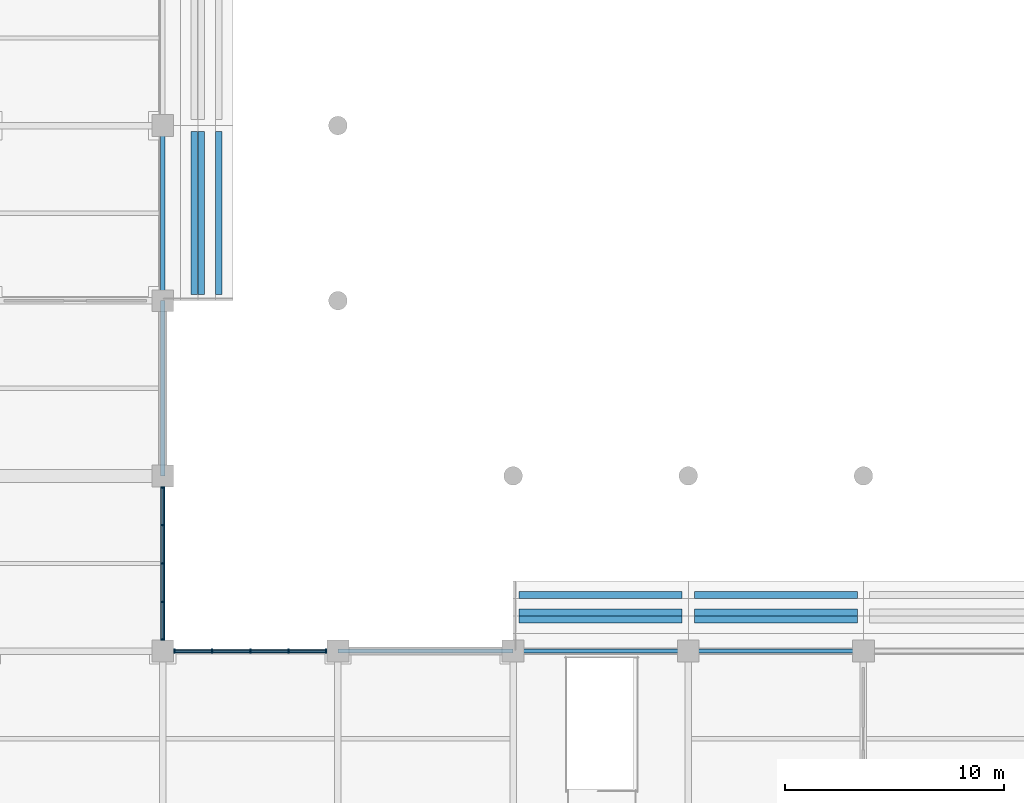
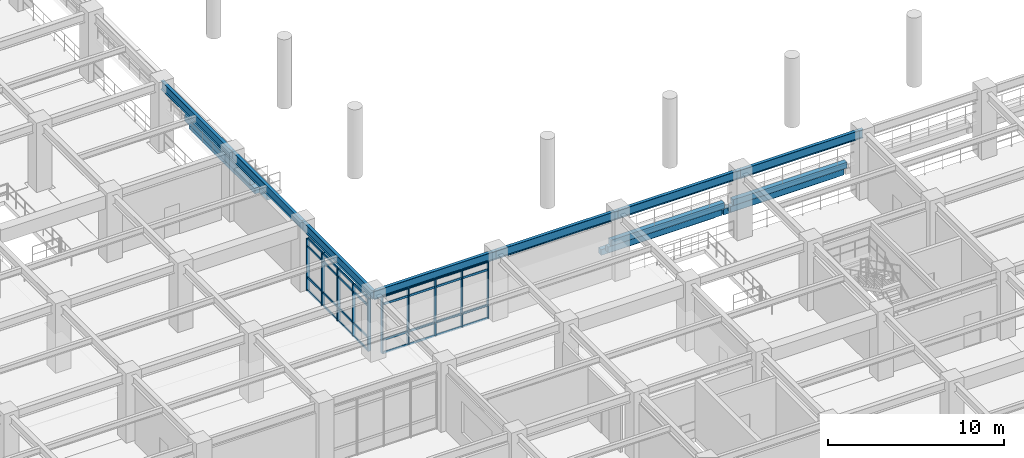
# One storey, part 17 of 117: 42 members, 16 beams, 2 elements without a shape of their own.
"""IFC4 building model written with IfcOpenShell, lengths in metres."""

from ifc_helpers import new_model, si_unit, direction, frame, origin, origin_2d, place, context, subcontext, project, spatial, rectangle, i_section, extrude, material, layer, layer_set, material_profile, profile_set, type_object, element, aggregate, save


model = new_model("IFC4")

# Units and contexts
model_context = context("Model", 3, precision=1e-05, world=origin(), true_north=direction((0.0, 1.0)))
body_context = subcontext(model_context, "Body", "Model", "MODEL_VIEW")
ifc_project = project(units=[si_unit("LENGTHUNIT", "METRE"), si_unit("AREAUNIT", "SQUARE_METRE"), si_unit("VOLUMEUNIT", "CUBIC_METRE"), si_unit("PLANEANGLEUNIT", "RADIAN"), si_unit("MASSUNIT", "GRAM", prefix="KILO")], contexts=[model_context])

# Site, building, storey
site_placement = place(None, origin())
site = spatial("IfcSite", under=ifc_project, at=site_placement, CompositionType="ELEMENT")
building_placement = place(site_placement, origin())
building = spatial("IfcBuilding", under=site, at=building_placement, Name="Haebicheon Civic Stadium", CompositionType="ELEMENT")
storey_placement = place(building_placement, frame((0.0, 0.0, 4.800048828125)))
storey = spatial("IfcBuildingStorey", under=building, at=storey_placement, Name="L02", CompositionType="ELEMENT", Elevation=4.800048828125)

# Beams
ifc_material_1 = material(Name="Precast concrete C40/50", Category="concrete")
ifc_material_profile_1 = material_profile(ifc_material_1, rectangle(XDim=0.300048828125, YDim=0.39990234375, at=origin_2d()), Name="PC-LN-300x400")
ifc_profile_set_1 = profile_set([ifc_material_profile_1], Name="Precast concrete C40/50")
beam_type_1 = type_object("IfcBeamType", Name="BM-LN-300x400", PredefinedType="LINTEL", material=ifc_profile_set_1)
for number, where, z_axis, x_axis, name in (
    (1, (66.56005859375, 48.280029296875, 0.22705078125), (0.0, 1.0, 0.0), (-1.0, 0.0, 0.0), "TIER-W-L precast step carrier beam 1.7"),
    (2, (65.760009765625, 48.280029296875, 0.93798828125), (0.0, 1.0, 0.0), (-1.0, 0.0, 0.0), "TIER-W-L precast step carrier beam 1.8"),
    (3, (65.43994140625, 48.280029296875, 1.64892578125), (0.0, 1.0, 0.0), (-1.0, 0.0, 0.0), "TIER-W-L precast step carrier beam 1.9"),
    (4, (80.280029296875, 34.56005859375, -0.0400390625), (1.0, 0.0, 0.0), (0.0, 1.0, 0.0), "TIER-S-L precast step carrier beam 1.7"),
    (5, (80.280029296875, 33.760009765625, 0.626953125), (1.0, 0.0, 0.0), (0.0, 1.0, 0.0), "TIER-S-L precast step carrier beam 1.8"),
    (6, (80.280029296875, 33.43994140625, 1.29296875), (1.0, 0.0, 0.0), (0.0, 1.0, 0.0), "TIER-S-L precast step carrier beam 1.9"),
    (7, (88.280029296875, 34.56005859375, -0.0400390625), (1.0, 0.0, 0.0), (0.0, 1.0, 0.0), "TIER-S-L precast step carrier beam 2.7"),
    (8, (88.280029296875, 33.760009765625, 0.626953125), (1.0, 0.0, 0.0), (0.0, 1.0, 0.0), "TIER-S-L precast step carrier beam 2.8"),
    (9, (88.280029296875, 33.43994140625, 1.29296875), (1.0, 0.0, 0.0), (0.0, 1.0, 0.0), "TIER-S-L precast step carrier beam 2.9"),
):
    element("IfcBeam", number, at=place(storey_placement, frame(where, z_axis=z_axis, x_axis=x_axis)), inside=storey, type_object=beam_type_1, material=ifc_profile_set_1, Name=name, PredefinedType="LINTEL", context=body_context, shape_type="SweptSolid", body=[
        extrude(rectangle(XDim=0.300048828125, YDim=0.39990234375, at=origin_2d()), origin(), (0.0, 0.0, 1.0), 7.43994140625),
    ])

# Curtain wall, members
ifc_material_2 = material(Name="Anodised aluminium and laminated glass", Category="aluminium")
ifc_layer_1 = layer(ifc_material_2, 0.179931640625, Name="Anodised aluminium and laminated glass")
ifc_layer_set_1 = layer_set([ifc_layer_1], Name="Anodised aluminium and laminated glass")
curtain_wall_type_1 = type_object("IfcCurtainWallType", Name="CW-7000x3610", PredefinedType="NOTDEFINED", material=ifc_layer_set_1)
curtain_wall_1_placement = place(storey_placement, origin())
curtain_wall_1 = element("IfcCurtainWall", 10, at=curtain_wall_1_placement, inside=storey, type_object=curtain_wall_type_1, material=ifc_layer_set_1, Name="L02 unitised curtain wall 043", PredefinedType="NOTDEFINED")
ifc_material_3 = material(Name="Anodised aluminium 6063-T6", Category="aluminium")
ifc_material_profile_2 = material_profile(ifc_material_3, rectangle(XDim=0.070068359375, YDim=0.199951171875, at=origin_2d()), Name="ALU-MULL-70x200")
ifc_profile_set_2 = profile_set([ifc_material_profile_2], Name="Anodised aluminium 6063-T6")
member_type_1 = type_object("IfcMemberType", Name="CWM-200x70", PredefinedType="MULLION", material=ifc_profile_set_2)
member_1_placement = place(storey_placement, frame((64.0, 32.534912109375, 0.0), z_axis=(0.0, 0.0, 1.0), x_axis=(0.0, 1.0, 0.0)))
member_1 = element("IfcMember", 11, at=member_1_placement, type_object=member_type_1, material=ifc_profile_set_2, Name="CW-L02-043 vertical mullion 1", PredefinedType="MULLION", context=body_context, shape_type="SweptSolid", body=[
    extrude(rectangle(XDim=0.070068359375, YDim=0.199951171875, at=origin_2d()), origin(), (0.0, 0.0, 1.0), 3.60986328125),
])
member_2_placement = place(storey_placement, frame((64.0, 34.25, 0.0), z_axis=(0.0, 0.0, 1.0), x_axis=(0.0, 1.0, 0.0)))
member_2 = element("IfcMember", 12, at=member_2_placement, type_object=member_type_1, material=ifc_profile_set_2, Name="CW-L02-043 vertical mullion 2", PredefinedType="MULLION", context=body_context, shape_type="SweptSolid", body=[
    extrude(rectangle(XDim=0.070068359375, YDim=0.199951171875, at=origin_2d()), origin(), (0.0, 0.0, 1.0), 3.60986328125),
])
member_3_placement = place(storey_placement, frame((64.0, 36.0, 0.0), z_axis=(0.0, 0.0, 1.0), x_axis=(0.0, 1.0, 0.0)))
member_3 = element("IfcMember", 13, at=member_3_placement, type_object=member_type_1, material=ifc_profile_set_2, Name="CW-L02-043 vertical mullion 3", PredefinedType="MULLION", context=body_context, shape_type="SweptSolid", body=[
    extrude(rectangle(XDim=0.070068359375, YDim=0.199951171875, at=origin_2d()), origin(), (0.0, 0.0, 1.0), 3.60986328125),
])
member_4_placement = place(storey_placement, frame((64.0, 37.75, 0.0), z_axis=(0.0, 0.0, 1.0), x_axis=(0.0, 1.0, 0.0)))
member_4 = element("IfcMember", 14, at=member_4_placement, type_object=member_type_1, material=ifc_profile_set_2, Name="CW-L02-043 vertical mullion 4", PredefinedType="MULLION", context=body_context, shape_type="SweptSolid", body=[
    extrude(rectangle(XDim=0.070068359375, YDim=0.199951171875, at=origin_2d()), origin(), (0.0, 0.0, 1.0), 3.60986328125),
])
member_5_placement = place(storey_placement, frame((64.0, 39.465087890625, 0.0), z_axis=(0.0, 0.0, 1.0), x_axis=(0.0, 1.0, 0.0)))
member_5 = element("IfcMember", 15, at=member_5_placement, type_object=member_type_1, material=ifc_profile_set_2, Name="CW-L02-043 vertical mullion 5", PredefinedType="MULLION", context=body_context, shape_type="SweptSolid", body=[
    extrude(rectangle(XDim=0.070068359375, YDim=0.199951171875, at=origin_2d()), origin(), (0.0, 0.0, 1.0), 3.60986328125),
])

ifc_material_4 = material(Name="Anodised aluminium and laminated glass", Category="aluminium")
ifc_layer_2 = layer(ifc_material_4, 0.179931640625, Name="Anodised aluminium and laminated glass")
ifc_layer_set_2 = layer_set([ifc_layer_2], Name="Anodised aluminium and laminated glass")
curtain_wall_type_2 = type_object("IfcCurtainWallType", Name="CW-7000x3910", PredefinedType="NOTDEFINED", material=ifc_layer_set_2)
curtain_wall_2_placement = place(storey_placement, origin())
curtain_wall_2 = element("IfcCurtainWall", 16, at=curtain_wall_2_placement, inside=storey, type_object=curtain_wall_type_2, material=ifc_layer_set_2, Name="L02 unitised curtain wall 045", PredefinedType="NOTDEFINED")
member_6_placement = place(storey_placement, frame((64.534912109375, 32.0, 0.0), z_axis=(0.0, 0.0, 1.0), x_axis=(1.0, 0.0, 0.0)))
member_6 = element("IfcMember", 17, at=member_6_placement, type_object=member_type_1, material=ifc_profile_set_2, Name="CW-L02-045 vertical mullion 1", PredefinedType="MULLION", context=body_context, shape_type="SweptSolid", body=[
    extrude(rectangle(XDim=0.070068359375, YDim=0.199951171875, at=origin_2d()), origin(), (0.0, 0.0, 1.0), 3.909912109375),
])
member_7_placement = place(storey_placement, frame((66.25, 32.0, 0.0), z_axis=(0.0, 0.0, 1.0), x_axis=(1.0, 0.0, 0.0)))
member_7 = element("IfcMember", 18, at=member_7_placement, type_object=member_type_1, material=ifc_profile_set_2, Name="CW-L02-045 vertical mullion 2", PredefinedType="MULLION", context=body_context, shape_type="SweptSolid", body=[
    extrude(rectangle(XDim=0.070068359375, YDim=0.199951171875, at=origin_2d()), origin(), (0.0, 0.0, 1.0), 3.909912109375),
])
member_8_placement = place(storey_placement, frame((68.0, 32.0, 0.0), z_axis=(0.0, 0.0, 1.0), x_axis=(1.0, 0.0, 0.0)))
member_8 = element("IfcMember", 19, at=member_8_placement, type_object=member_type_1, material=ifc_profile_set_2, Name="CW-L02-045 vertical mullion 3", PredefinedType="MULLION", context=body_context, shape_type="SweptSolid", body=[
    extrude(rectangle(XDim=0.070068359375, YDim=0.199951171875, at=origin_2d()), origin(), (0.0, 0.0, 1.0), 3.909912109375),
])
member_9_placement = place(storey_placement, frame((69.75, 32.0, 0.0), z_axis=(0.0, 0.0, 1.0), x_axis=(1.0, 0.0, 0.0)))
member_9 = element("IfcMember", 20, at=member_9_placement, type_object=member_type_1, material=ifc_profile_set_2, Name="CW-L02-045 vertical mullion 4", PredefinedType="MULLION", context=body_context, shape_type="SweptSolid", body=[
    extrude(rectangle(XDim=0.070068359375, YDim=0.199951171875, at=origin_2d()), origin(), (0.0, 0.0, 1.0), 3.909912109375),
])
member_10_placement = place(storey_placement, frame((71.465087890625, 32.0, 0.0), z_axis=(0.0, 0.0, 1.0), x_axis=(1.0, 0.0, 0.0)))
member_10 = element("IfcMember", 21, at=member_10_placement, type_object=member_type_1, material=ifc_profile_set_2, Name="CW-L02-045 vertical mullion 5", PredefinedType="MULLION", context=body_context, shape_type="SweptSolid", body=[
    extrude(rectangle(XDim=0.070068359375, YDim=0.199951171875, at=origin_2d()), origin(), (0.0, 0.0, 1.0), 3.909912109375),
])

# Member
ifc_material_5 = material(Name="Anodised aluminium 6063-T6", Category="aluminium")
ifc_material_profile_3 = material_profile(ifc_material_5, rectangle(XDim=0.070068359375, YDim=0.14990234375, at=origin_2d()), Name="ALU-TRAN-70x150")
ifc_profile_set_3 = profile_set([ifc_material_profile_3], Name="Anodised aluminium 6063-T6")
member_type_2 = type_object("IfcMemberType", Name="CWT-150x70", PredefinedType="NOTDEFINED", material=ifc_profile_set_3)
member_11_placement = place(storey_placement, frame((64.0, 32.570068359375, 0.0), z_axis=(0.0, 1.0, 0.0), x_axis=(-1.0, 0.0, 0.0)))
member_11 = element("IfcMember", 22, at=member_11_placement, type_object=member_type_2, material=ifc_profile_set_3, Name="CW-L02-043 horizontal transom 1.1", ObjectType="TRANSOM", PredefinedType="USERDEFINED", context=body_context, shape_type="SweptSolid", body=[
    extrude(rectangle(XDim=0.070068359375, YDim=0.14990234375, at=origin_2d()), origin(), (0.0, 0.0, 1.0), 1.64501953125),
])

member_12_placement = place(storey_placement, frame((64.0, 32.570068359375, 0.89990234375), z_axis=(0.0, 1.0, 0.0), x_axis=(-1.0, 0.0, 0.0)))
member_12 = element("IfcMember", 23, at=member_12_placement, type_object=member_type_2, material=ifc_profile_set_3, Name="CW-L02-043 horizontal transom 1.2", ObjectType="TRANSOM", PredefinedType="USERDEFINED", context=body_context, shape_type="SweptSolid", body=[
    extrude(rectangle(XDim=0.070068359375, YDim=0.14990234375, at=origin_2d()), origin(), (0.0, 0.0, 1.0), 1.64501953125),
])

member_13_placement = place(storey_placement, frame((64.0, 32.570068359375, 3.06005859375), z_axis=(0.0, 1.0, 0.0), x_axis=(-1.0, 0.0, 0.0)))
member_13 = element("IfcMember", 24, at=member_13_placement, type_object=member_type_2, material=ifc_profile_set_3, Name="CW-L02-043 horizontal transom 1.3", ObjectType="TRANSOM", PredefinedType="USERDEFINED", context=body_context, shape_type="SweptSolid", body=[
    extrude(rectangle(XDim=0.070068359375, YDim=0.14990234375, at=origin_2d()), origin(), (0.0, 0.0, 1.0), 1.64501953125),
])

member_14_placement = place(storey_placement, frame((64.0, 32.570068359375, 3.60986328125), z_axis=(0.0, 1.0, 0.0), x_axis=(-1.0, 0.0, 0.0)))
member_14 = element("IfcMember", 25, at=member_14_placement, type_object=member_type_2, material=ifc_profile_set_3, Name="CW-L02-043 horizontal transom 1.4", ObjectType="TRANSOM", PredefinedType="USERDEFINED", context=body_context, shape_type="SweptSolid", body=[
    extrude(rectangle(XDim=0.070068359375, YDim=0.14990234375, at=origin_2d()), origin(), (0.0, 0.0, 1.0), 1.64501953125),
])

member_15_placement = place(storey_placement, frame((64.0, 34.284912109375, 0.0), z_axis=(0.0, 1.0, 0.0), x_axis=(-1.0, 0.0, 0.0)))
member_15 = element("IfcMember", 26, at=member_15_placement, type_object=member_type_2, material=ifc_profile_set_3, Name="CW-L02-043 horizontal transom 2.1", ObjectType="TRANSOM", PredefinedType="USERDEFINED", context=body_context, shape_type="SweptSolid", body=[
    extrude(rectangle(XDim=0.070068359375, YDim=0.14990234375, at=origin_2d()), origin(), (0.0, 0.0, 1.0), 1.68017578125),
])

member_16_placement = place(storey_placement, frame((64.0, 34.284912109375, 0.89990234375), z_axis=(0.0, 1.0, 0.0), x_axis=(-1.0, 0.0, 0.0)))
member_16 = element("IfcMember", 27, at=member_16_placement, type_object=member_type_2, material=ifc_profile_set_3, Name="CW-L02-043 horizontal transom 2.2", ObjectType="TRANSOM", PredefinedType="USERDEFINED", context=body_context, shape_type="SweptSolid", body=[
    extrude(rectangle(XDim=0.070068359375, YDim=0.14990234375, at=origin_2d()), origin(), (0.0, 0.0, 1.0), 1.68017578125),
])

member_17_placement = place(storey_placement, frame((64.0, 34.284912109375, 3.06005859375), z_axis=(0.0, 1.0, 0.0), x_axis=(-1.0, 0.0, 0.0)))
member_17 = element("IfcMember", 28, at=member_17_placement, type_object=member_type_2, material=ifc_profile_set_3, Name="CW-L02-043 horizontal transom 2.3", ObjectType="TRANSOM", PredefinedType="USERDEFINED", context=body_context, shape_type="SweptSolid", body=[
    extrude(rectangle(XDim=0.070068359375, YDim=0.14990234375, at=origin_2d()), origin(), (0.0, 0.0, 1.0), 1.68017578125),
])

member_18_placement = place(storey_placement, frame((64.0, 34.284912109375, 3.60986328125), z_axis=(0.0, 1.0, 0.0), x_axis=(-1.0, 0.0, 0.0)))
member_18 = element("IfcMember", 29, at=member_18_placement, type_object=member_type_2, material=ifc_profile_set_3, Name="CW-L02-043 horizontal transom 2.4", ObjectType="TRANSOM", PredefinedType="USERDEFINED", context=body_context, shape_type="SweptSolid", body=[
    extrude(rectangle(XDim=0.070068359375, YDim=0.14990234375, at=origin_2d()), origin(), (0.0, 0.0, 1.0), 1.68017578125),
])

member_19_placement = place(storey_placement, frame((64.0, 36.034912109375, 0.0), z_axis=(0.0, 1.0, 0.0), x_axis=(-1.0, 0.0, 0.0)))
member_19 = element("IfcMember", 30, at=member_19_placement, type_object=member_type_2, material=ifc_profile_set_3, Name="CW-L02-043 horizontal transom 3.1", ObjectType="TRANSOM", PredefinedType="USERDEFINED", context=body_context, shape_type="SweptSolid", body=[
    extrude(rectangle(XDim=0.070068359375, YDim=0.14990234375, at=origin_2d()), origin(), (0.0, 0.0, 1.0), 1.68017578125),
])

member_20_placement = place(storey_placement, frame((64.0, 36.034912109375, 0.89990234375), z_axis=(0.0, 1.0, 0.0), x_axis=(-1.0, 0.0, 0.0)))
member_20 = element("IfcMember", 31, at=member_20_placement, type_object=member_type_2, material=ifc_profile_set_3, Name="CW-L02-043 horizontal transom 3.2", ObjectType="TRANSOM", PredefinedType="USERDEFINED", context=body_context, shape_type="SweptSolid", body=[
    extrude(rectangle(XDim=0.070068359375, YDim=0.14990234375, at=origin_2d()), origin(), (0.0, 0.0, 1.0), 1.68017578125),
])

member_21_placement = place(storey_placement, frame((64.0, 36.034912109375, 3.06005859375), z_axis=(0.0, 1.0, 0.0), x_axis=(-1.0, 0.0, 0.0)))
member_21 = element("IfcMember", 32, at=member_21_placement, type_object=member_type_2, material=ifc_profile_set_3, Name="CW-L02-043 horizontal transom 3.3", ObjectType="TRANSOM", PredefinedType="USERDEFINED", context=body_context, shape_type="SweptSolid", body=[
    extrude(rectangle(XDim=0.070068359375, YDim=0.14990234375, at=origin_2d()), origin(), (0.0, 0.0, 1.0), 1.68017578125),
])

member_22_placement = place(storey_placement, frame((64.0, 36.034912109375, 3.60986328125), z_axis=(0.0, 1.0, 0.0), x_axis=(-1.0, 0.0, 0.0)))
member_22 = element("IfcMember", 33, at=member_22_placement, type_object=member_type_2, material=ifc_profile_set_3, Name="CW-L02-043 horizontal transom 3.4", ObjectType="TRANSOM", PredefinedType="USERDEFINED", context=body_context, shape_type="SweptSolid", body=[
    extrude(rectangle(XDim=0.070068359375, YDim=0.14990234375, at=origin_2d()), origin(), (0.0, 0.0, 1.0), 1.68017578125),
])

member_23_placement = place(storey_placement, frame((64.0, 37.784912109375, 0.0), z_axis=(0.0, 1.0, 0.0), x_axis=(-1.0, 0.0, 0.0)))
member_23 = element("IfcMember", 34, at=member_23_placement, type_object=member_type_2, material=ifc_profile_set_3, Name="CW-L02-043 horizontal transom 4.1", ObjectType="TRANSOM", PredefinedType="USERDEFINED", context=body_context, shape_type="SweptSolid", body=[
    extrude(rectangle(XDim=0.070068359375, YDim=0.14990234375, at=origin_2d()), origin(), (0.0, 0.0, 1.0), 1.64501953125),
])

member_24_placement = place(storey_placement, frame((64.0, 37.784912109375, 0.89990234375), z_axis=(0.0, 1.0, 0.0), x_axis=(-1.0, 0.0, 0.0)))
member_24 = element("IfcMember", 35, at=member_24_placement, type_object=member_type_2, material=ifc_profile_set_3, Name="CW-L02-043 horizontal transom 4.2", ObjectType="TRANSOM", PredefinedType="USERDEFINED", context=body_context, shape_type="SweptSolid", body=[
    extrude(rectangle(XDim=0.070068359375, YDim=0.14990234375, at=origin_2d()), origin(), (0.0, 0.0, 1.0), 1.64501953125),
])

member_25_placement = place(storey_placement, frame((64.0, 37.784912109375, 3.06005859375), z_axis=(0.0, 1.0, 0.0), x_axis=(-1.0, 0.0, 0.0)))
member_25 = element("IfcMember", 36, at=member_25_placement, type_object=member_type_2, material=ifc_profile_set_3, Name="CW-L02-043 horizontal transom 4.3", ObjectType="TRANSOM", PredefinedType="USERDEFINED", context=body_context, shape_type="SweptSolid", body=[
    extrude(rectangle(XDim=0.070068359375, YDim=0.14990234375, at=origin_2d()), origin(), (0.0, 0.0, 1.0), 1.64501953125),
])

member_26_placement = place(storey_placement, frame((64.0, 37.784912109375, 3.60986328125), z_axis=(0.0, 1.0, 0.0), x_axis=(-1.0, 0.0, 0.0)))
member_26 = element("IfcMember", 37, at=member_26_placement, type_object=member_type_2, material=ifc_profile_set_3, Name="CW-L02-043 horizontal transom 4.4", ObjectType="TRANSOM", PredefinedType="USERDEFINED", context=body_context, shape_type="SweptSolid", body=[
    extrude(rectangle(XDim=0.070068359375, YDim=0.14990234375, at=origin_2d()), origin(), (0.0, 0.0, 1.0), 1.64501953125),
])

aggregate(curtain_wall_1, [member_1, member_2, member_3, member_4, member_5, member_11, member_12, member_13, member_14, member_15, member_16, member_17, member_18, member_19, member_20, member_21, member_22, member_23, member_24, member_25, member_26])

member_27_placement = place(storey_placement, frame((64.570068359375, 32.0, 0.0), z_axis=(1.0, 0.0, 0.0), x_axis=(0.0, 1.0, 0.0)))
member_27 = element("IfcMember", 38, at=member_27_placement, type_object=member_type_2, material=ifc_profile_set_3, Name="CW-L02-045 horizontal transom 1.1", ObjectType="TRANSOM", PredefinedType="USERDEFINED", context=body_context, shape_type="SweptSolid", body=[
    extrude(rectangle(XDim=0.070068359375, YDim=0.14990234375, at=origin_2d()), origin(), (0.0, 0.0, 1.0), 1.64501953125),
])

member_28_placement = place(storey_placement, frame((64.570068359375, 32.0, 0.89990234375), z_axis=(1.0, 0.0, 0.0), x_axis=(0.0, 1.0, 0.0)))
member_28 = element("IfcMember", 39, at=member_28_placement, type_object=member_type_2, material=ifc_profile_set_3, Name="CW-L02-045 horizontal transom 1.2", ObjectType="TRANSOM", PredefinedType="USERDEFINED", context=body_context, shape_type="SweptSolid", body=[
    extrude(rectangle(XDim=0.070068359375, YDim=0.14990234375, at=origin_2d()), origin(), (0.0, 0.0, 1.0), 1.64501953125),
])

member_29_placement = place(storey_placement, frame((64.570068359375, 32.0, 3.35986328125), z_axis=(1.0, 0.0, 0.0), x_axis=(0.0, 1.0, 0.0)))
member_29 = element("IfcMember", 40, at=member_29_placement, type_object=member_type_2, material=ifc_profile_set_3, Name="CW-L02-045 horizontal transom 1.3", ObjectType="TRANSOM", PredefinedType="USERDEFINED", context=body_context, shape_type="SweptSolid", body=[
    extrude(rectangle(XDim=0.070068359375, YDim=0.14990234375, at=origin_2d()), origin(), (0.0, 0.0, 1.0), 1.64501953125),
])

member_30_placement = place(storey_placement, frame((64.570068359375, 32.0, 3.909912109375), z_axis=(1.0, 0.0, 0.0), x_axis=(0.0, 1.0, 0.0)))
member_30 = element("IfcMember", 41, at=member_30_placement, type_object=member_type_2, material=ifc_profile_set_3, Name="CW-L02-045 horizontal transom 1.4", ObjectType="TRANSOM", PredefinedType="USERDEFINED", context=body_context, shape_type="SweptSolid", body=[
    extrude(rectangle(XDim=0.070068359375, YDim=0.14990234375, at=origin_2d()), origin(), (0.0, 0.0, 1.0), 1.64501953125),
])

member_31_placement = place(storey_placement, frame((66.284912109375, 32.0, 0.0), z_axis=(1.0, 0.0, 0.0), x_axis=(0.0, 1.0, 0.0)))
member_31 = element("IfcMember", 42, at=member_31_placement, type_object=member_type_2, material=ifc_profile_set_3, Name="CW-L02-045 horizontal transom 2.1", ObjectType="TRANSOM", PredefinedType="USERDEFINED", context=body_context, shape_type="SweptSolid", body=[
    extrude(rectangle(XDim=0.070068359375, YDim=0.14990234375, at=origin_2d()), origin(), (0.0, 0.0, 1.0), 1.68017578125),
])

member_32_placement = place(storey_placement, frame((66.284912109375, 32.0, 0.89990234375), z_axis=(1.0, 0.0, 0.0), x_axis=(0.0, 1.0, 0.0)))
member_32 = element("IfcMember", 43, at=member_32_placement, type_object=member_type_2, material=ifc_profile_set_3, Name="CW-L02-045 horizontal transom 2.2", ObjectType="TRANSOM", PredefinedType="USERDEFINED", context=body_context, shape_type="SweptSolid", body=[
    extrude(rectangle(XDim=0.070068359375, YDim=0.14990234375, at=origin_2d()), origin(), (0.0, 0.0, 1.0), 1.68017578125),
])

member_33_placement = place(storey_placement, frame((66.284912109375, 32.0, 3.35986328125), z_axis=(1.0, 0.0, 0.0), x_axis=(0.0, 1.0, 0.0)))
member_33 = element("IfcMember", 44, at=member_33_placement, type_object=member_type_2, material=ifc_profile_set_3, Name="CW-L02-045 horizontal transom 2.3", ObjectType="TRANSOM", PredefinedType="USERDEFINED", context=body_context, shape_type="SweptSolid", body=[
    extrude(rectangle(XDim=0.070068359375, YDim=0.14990234375, at=origin_2d()), origin(), (0.0, 0.0, 1.0), 1.68017578125),
])

member_34_placement = place(storey_placement, frame((66.284912109375, 32.0, 3.909912109375), z_axis=(1.0, 0.0, 0.0), x_axis=(0.0, 1.0, 0.0)))
member_34 = element("IfcMember", 45, at=member_34_placement, type_object=member_type_2, material=ifc_profile_set_3, Name="CW-L02-045 horizontal transom 2.4", ObjectType="TRANSOM", PredefinedType="USERDEFINED", context=body_context, shape_type="SweptSolid", body=[
    extrude(rectangle(XDim=0.070068359375, YDim=0.14990234375, at=origin_2d()), origin(), (0.0, 0.0, 1.0), 1.68017578125),
])

member_35_placement = place(storey_placement, frame((68.034912109375, 32.0, 0.0), z_axis=(1.0, 0.0, 0.0), x_axis=(0.0, 1.0, 0.0)))
member_35 = element("IfcMember", 46, at=member_35_placement, type_object=member_type_2, material=ifc_profile_set_3, Name="CW-L02-045 horizontal transom 3.1", ObjectType="TRANSOM", PredefinedType="USERDEFINED", context=body_context, shape_type="SweptSolid", body=[
    extrude(rectangle(XDim=0.070068359375, YDim=0.14990234375, at=origin_2d()), origin(), (0.0, 0.0, 1.0), 1.68017578125),
])

member_36_placement = place(storey_placement, frame((68.034912109375, 32.0, 0.89990234375), z_axis=(1.0, 0.0, 0.0), x_axis=(0.0, 1.0, 0.0)))
member_36 = element("IfcMember", 47, at=member_36_placement, type_object=member_type_2, material=ifc_profile_set_3, Name="CW-L02-045 horizontal transom 3.2", ObjectType="TRANSOM", PredefinedType="USERDEFINED", context=body_context, shape_type="SweptSolid", body=[
    extrude(rectangle(XDim=0.070068359375, YDim=0.14990234375, at=origin_2d()), origin(), (0.0, 0.0, 1.0), 1.68017578125),
])

member_37_placement = place(storey_placement, frame((68.034912109375, 32.0, 3.35986328125), z_axis=(1.0, 0.0, 0.0), x_axis=(0.0, 1.0, 0.0)))
member_37 = element("IfcMember", 48, at=member_37_placement, type_object=member_type_2, material=ifc_profile_set_3, Name="CW-L02-045 horizontal transom 3.3", ObjectType="TRANSOM", PredefinedType="USERDEFINED", context=body_context, shape_type="SweptSolid", body=[
    extrude(rectangle(XDim=0.070068359375, YDim=0.14990234375, at=origin_2d()), origin(), (0.0, 0.0, 1.0), 1.68017578125),
])

member_38_placement = place(storey_placement, frame((68.034912109375, 32.0, 3.909912109375), z_axis=(1.0, 0.0, 0.0), x_axis=(0.0, 1.0, 0.0)))
member_38 = element("IfcMember", 49, at=member_38_placement, type_object=member_type_2, material=ifc_profile_set_3, Name="CW-L02-045 horizontal transom 3.4", ObjectType="TRANSOM", PredefinedType="USERDEFINED", context=body_context, shape_type="SweptSolid", body=[
    extrude(rectangle(XDim=0.070068359375, YDim=0.14990234375, at=origin_2d()), origin(), (0.0, 0.0, 1.0), 1.68017578125),
])

member_39_placement = place(storey_placement, frame((69.784912109375, 32.0, 0.0), z_axis=(1.0, 0.0, 0.0), x_axis=(0.0, 1.0, 0.0)))
member_39 = element("IfcMember", 50, at=member_39_placement, type_object=member_type_2, material=ifc_profile_set_3, Name="CW-L02-045 horizontal transom 4.1", ObjectType="TRANSOM", PredefinedType="USERDEFINED", context=body_context, shape_type="SweptSolid", body=[
    extrude(rectangle(XDim=0.070068359375, YDim=0.14990234375, at=origin_2d()), origin(), (0.0, 0.0, 1.0), 1.64501953125),
])

member_40_placement = place(storey_placement, frame((69.784912109375, 32.0, 0.89990234375), z_axis=(1.0, 0.0, 0.0), x_axis=(0.0, 1.0, 0.0)))
member_40 = element("IfcMember", 51, at=member_40_placement, type_object=member_type_2, material=ifc_profile_set_3, Name="CW-L02-045 horizontal transom 4.2", ObjectType="TRANSOM", PredefinedType="USERDEFINED", context=body_context, shape_type="SweptSolid", body=[
    extrude(rectangle(XDim=0.070068359375, YDim=0.14990234375, at=origin_2d()), origin(), (0.0, 0.0, 1.0), 1.64501953125),
])

member_41_placement = place(storey_placement, frame((69.784912109375, 32.0, 3.35986328125), z_axis=(1.0, 0.0, 0.0), x_axis=(0.0, 1.0, 0.0)))
member_41 = element("IfcMember", 52, at=member_41_placement, type_object=member_type_2, material=ifc_profile_set_3, Name="CW-L02-045 horizontal transom 4.3", ObjectType="TRANSOM", PredefinedType="USERDEFINED", context=body_context, shape_type="SweptSolid", body=[
    extrude(rectangle(XDim=0.070068359375, YDim=0.14990234375, at=origin_2d()), origin(), (0.0, 0.0, 1.0), 1.64501953125),
])

member_42_placement = place(storey_placement, frame((69.784912109375, 32.0, 3.909912109375), z_axis=(1.0, 0.0, 0.0), x_axis=(0.0, 1.0, 0.0)))
member_42 = element("IfcMember", 53, at=member_42_placement, type_object=member_type_2, material=ifc_profile_set_3, Name="CW-L02-045 horizontal transom 4.4", ObjectType="TRANSOM", PredefinedType="USERDEFINED", context=body_context, shape_type="SweptSolid", body=[
    extrude(rectangle(XDim=0.070068359375, YDim=0.14990234375, at=origin_2d()), origin(), (0.0, 0.0, 1.0), 1.64501953125),
])

aggregate(curtain_wall_2, [member_6, member_7, member_8, member_9, member_10, member_27, member_28, member_29, member_30, member_31, member_32, member_33, member_34, member_35, member_36, member_37, member_38, member_39, member_40, member_41, member_42])

# Beams
ifc_material_6 = material(Name="Steel SM355 (S355)", Category="steel")
ifc_material_profile_4 = material_profile(ifc_material_6, i_section(OverallWidth=0.199951171875, OverallDepth=0.60009765625, WebThickness=0.010986328125, FlangeThickness=0.01708984375, at=origin_2d()), Name="H-600x200x11x17")
ifc_profile_set_4 = profile_set([ifc_material_profile_4], Name="Steel SM355 (S355)")
beam_type_2 = type_object("IfcBeamType", Name="SPD-ST-H600B", PredefinedType="SPANDREL", material=ifc_profile_set_4)
for number, where, z_axis, x_axis, name in (
    (54, (64.0, 32.0, 4.219970703125), (0.0, 1.0, 0.0), (-1.0, 0.0, 0.0), "L02 girder 9/E-F"),
    (55, (64.0, 40.0, 4.219970703125), (0.0, 1.0, 0.0), (-1.0, 0.0, 0.0), "L02 girder 9/F-G"),
    (56, (64.0, 48.0, 4.219970703125), (0.0, 1.0, 0.0), (-1.0, 0.0, 0.0), "L02 girder 9/G-H"),
    (57, (64.0, 32.0, 4.219970703125), (1.0, 0.0, 0.0), (0.0, 1.0, 0.0), "L02 beam E/9-10"),
    (58, (72.0, 32.0, 4.219970703125), (1.0, 0.0, 0.0), (0.0, 1.0, 0.0), "L02 beam E/10-11"),
    (59, (80.0, 32.0, 4.219970703125), (1.0, 0.0, 0.0), (0.0, 1.0, 0.0), "L02 beam E/11-12"),
    (60, (88.0, 32.0, 4.219970703125), (1.0, 0.0, 0.0), (0.0, 1.0, 0.0), "L02 beam E/12-13"),
):
    element("IfcBeam", number, at=place(storey_placement, frame(where, z_axis=z_axis, x_axis=x_axis)), inside=storey, type_object=beam_type_2, material=ifc_profile_set_4, Name=name, PredefinedType="SPANDREL", context=body_context, shape_type="SweptSolid", body=[
        extrude(i_section(OverallWidth=0.199951171875, OverallDepth=0.60009765625, WebThickness=0.010986328125, FlangeThickness=0.01708984375, at=origin_2d()), origin(), (0.0, 0.0, 1.0), 8.0),
    ])

save(model, "model.ifc")
